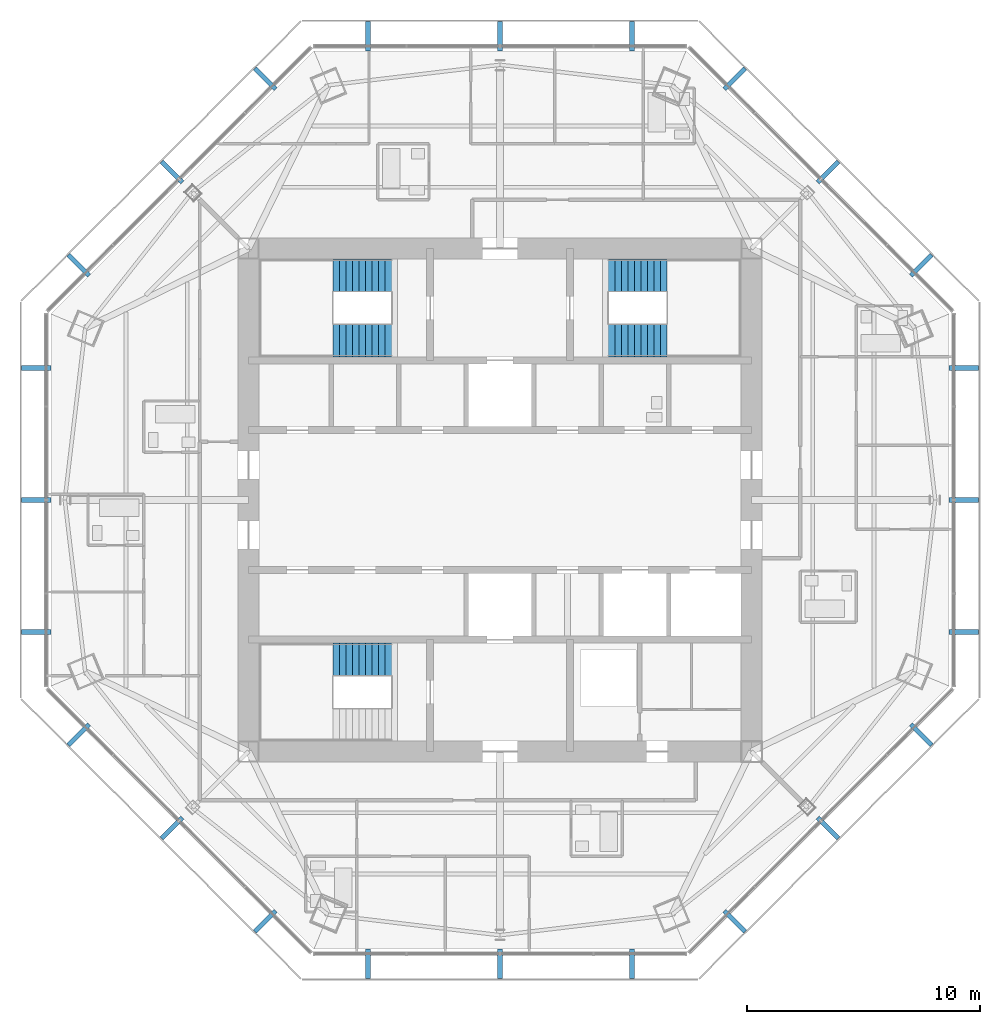
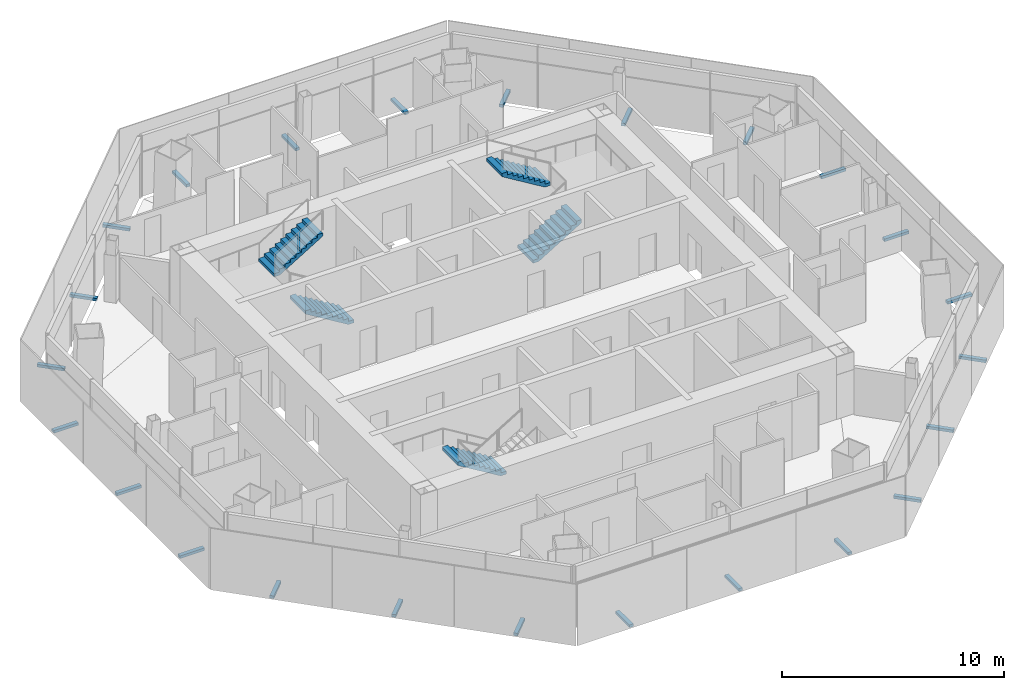
# One storey, part 12 of 15: 24 discrete accessories, 5 stair flights, 3 elements without a shape of their own.
"""IFC4 building model written with IfcOpenShell, lengths in metres."""

from ifc_helpers import new_model, si_unit, direction, frame, origin, origin_2d, place, context, subcontext, project, spatial, polyline, rectangle, outline, extrude, source, transform, mapped, material, type_object, type_shapes, element, aggregate, save


model = new_model("IFC4")

# Units and contexts
model_context = context("Model", 3, precision=1e-05, world=origin(), true_north=direction((0.0, 1.0)))
body_context = subcontext(model_context, "Body", "Model", "MODEL_VIEW")
ifc_project = project(units=[si_unit("LENGTHUNIT", "METRE"), si_unit("AREAUNIT", "SQUARE_METRE"), si_unit("VOLUMEUNIT", "CUBIC_METRE"), si_unit("PLANEANGLEUNIT", "RADIAN"), si_unit("MASSUNIT", "GRAM", prefix="KILO")], contexts=[model_context])

# Site, building, storey
site_placement = place(None, origin())
site = spatial("IfcSite", under=ifc_project, at=site_placement, CompositionType="ELEMENT")
building_placement = place(site_placement, origin())
building = spatial("IfcBuilding", under=site, at=building_placement, Name="Mashrafa Tower", CompositionType="ELEMENT")
storey_placement = place(building_placement, frame((0.0, 0.0, 301.39990234375)))
storey = spatial("IfcBuildingStorey", under=building, at=storey_placement, Name="L74", CompositionType="ELEMENT", Elevation=301.39990234375)

# Stair, stair flights
ifc_material_1 = material(Name="Exit stair 1400")
stair_type = type_object("IfcStairType", Name="Exit stair 1400", PredefinedType="HALF_TURN_STAIR", material=ifc_material_1)
stair_1_placement = place(storey_placement, origin())
stair_1 = element("IfcStair", 1, at=stair_1_placement, inside=storey, type_object=stair_type, Name="Stair S1 L74", PredefinedType="HALF_TURN_STAIR")
ifc_material_2 = material(Name="Concrete C32/40", Category="concrete")
stair_flight_type = type_object("IfcStairFlightType", Name="Stair flight 1400", PredefinedType="STRAIGHT", material=ifc_material_2)
stair_flight_1_placement = place(storey_placement, frame((-4.64990234375, 6.85009765625, 0.0), z_axis=(0.0, 0.0, 1.0), x_axis=(-1.0, 0.0, 0.0)))
stair_flight_1 = element("IfcStairFlight", 2, at=stair_flight_1_placement, type_object=stair_flight_type, Name="S1 flight 1", NumberOfRisers=10, NumberOfTreads=9, PredefinedType="STRAIGHT", RiserHeight=0.17, TreadLength=0.28, context=body_context, shape_type="SweptSolid", body=[
    extrude(outline(polyline([(0.0, 0.0), (0.0, 0.169921875), (0.280029296875, 0.169921875), (0.280029296875, 0.340087890625), (0.56005859375, 0.340087890625), (0.56005859375, 0.510009765625), (0.840087890625, 0.510009765625), (0.840087890625, 0.679931640625), (1.1201171875, 0.679931640625), (1.1201171875, 0.85009765625), (1.39990234375, 0.85009765625), (1.39990234375, 1.02001953125), (1.679931640625, 1.02001953125), (1.679931640625, 1.18994140625), (1.9599609375, 1.18994140625), (1.9599609375, 1.360107421875), (2.239990234375, 1.360107421875), (2.239990234375, 1.530029296875), (2.52001953125, 1.530029296875), (2.52001953125, 1.699951171875), (2.52001953125, 1.354736328125), (0.288818359375, 0.0), (0.0, 0.0)])), frame((0.0, 0.699951171875, 0.0), z_axis=(0.0, -1.0, 0.0), x_axis=(1.0, 0.0, 0.0)), (0.0, 0.0, 1.0), 1.39990234375),
])
stair_flight_2_placement = place(storey_placement, frame((-7.169921875, 9.64990234375, 1.7001953125), z_axis=(0.0, 0.0, 1.0), x_axis=(1.0, 0.0, 0.0)))
stair_flight_2 = element("IfcStairFlight", 3, at=stair_flight_2_placement, type_object=stair_flight_type, Name="S1 flight 2", NumberOfRisers=10, NumberOfTreads=9, PredefinedType="STRAIGHT", RiserHeight=0.17, TreadLength=0.28, context=body_context, shape_type="SweptSolid", body=[
    extrude(outline(polyline([(0.0, 0.0), (0.0, 0.169921875), (0.280029296875, 0.169921875), (0.280029296875, 0.340087890625), (0.56005859375, 0.340087890625), (0.56005859375, 0.510009765625), (0.840087890625, 0.510009765625), (0.840087890625, 0.679931640625), (1.1201171875, 0.679931640625), (1.1201171875, 0.85009765625), (1.39990234375, 0.85009765625), (1.39990234375, 1.02001953125), (1.679931640625, 1.02001953125), (1.679931640625, 1.18994140625), (1.9599609375, 1.18994140625), (1.9599609375, 1.360107421875), (2.239990234375, 1.360107421875), (2.239990234375, 1.530029296875), (2.52001953125, 1.530029296875), (2.52001953125, 1.699951171875), (2.52001953125, 1.354736328125), (0.288818359375, 0.0), (0.0, 0.0)])), frame((0.0, 0.699951171875, 0.0), z_axis=(0.0, -1.0, 0.0), x_axis=(1.0, 0.0, 0.0)), (0.0, 0.0, 1.0), 1.39990234375),
])
aggregate(stair_1, [stair_flight_1, stair_flight_2])

stair_2_placement = place(storey_placement, origin())
stair_2 = element("IfcStair", 4, at=stair_2_placement, inside=storey, type_object=stair_type, Name="Stair S2 L74", PredefinedType="HALF_TURN_STAIR")
stair_flight_3_placement = place(storey_placement, frame((4.64990234375, 6.85009765625, 0.0), z_axis=(0.0, 0.0, 1.0), x_axis=(1.0, 0.0, 0.0)))
stair_flight_3 = element("IfcStairFlight", 5, at=stair_flight_3_placement, type_object=stair_flight_type, Name="S2 flight 1", NumberOfRisers=10, NumberOfTreads=9, PredefinedType="STRAIGHT", RiserHeight=0.17, TreadLength=0.28, context=body_context, shape_type="SweptSolid", body=[
    extrude(outline(polyline([(0.0, 0.0), (0.0, 0.169921875), (0.280029296875, 0.169921875), (0.280029296875, 0.340087890625), (0.56005859375, 0.340087890625), (0.56005859375, 0.510009765625), (0.840087890625, 0.510009765625), (0.840087890625, 0.679931640625), (1.1201171875, 0.679931640625), (1.1201171875, 0.85009765625), (1.39990234375, 0.85009765625), (1.39990234375, 1.02001953125), (1.679931640625, 1.02001953125), (1.679931640625, 1.18994140625), (1.9599609375, 1.18994140625), (1.9599609375, 1.360107421875), (2.239990234375, 1.360107421875), (2.239990234375, 1.530029296875), (2.52001953125, 1.530029296875), (2.52001953125, 1.699951171875), (2.52001953125, 1.354736328125), (0.288818359375, 0.0), (0.0, 0.0)])), frame((0.0, 0.699951171875, 0.0), z_axis=(0.0, -1.0, 0.0), x_axis=(1.0, 0.0, 0.0)), (0.0, 0.0, 1.0), 1.39990234375),
])
stair_flight_4_placement = place(storey_placement, frame((7.169921875, 9.64990234375, 1.7001953125), z_axis=(0.0, 0.0, 1.0), x_axis=(-1.0, 0.0, 0.0)))
stair_flight_4 = element("IfcStairFlight", 6, at=stair_flight_4_placement, type_object=stair_flight_type, Name="S2 flight 2", NumberOfRisers=10, NumberOfTreads=9, PredefinedType="STRAIGHT", RiserHeight=0.17, TreadLength=0.28, context=body_context, shape_type="SweptSolid", body=[
    extrude(outline(polyline([(0.0, 0.0), (0.0, 0.169921875), (0.280029296875, 0.169921875), (0.280029296875, 0.340087890625), (0.56005859375, 0.340087890625), (0.56005859375, 0.510009765625), (0.840087890625, 0.510009765625), (0.840087890625, 0.679931640625), (1.1201171875, 0.679931640625), (1.1201171875, 0.85009765625), (1.39990234375, 0.85009765625), (1.39990234375, 1.02001953125), (1.679931640625, 1.02001953125), (1.679931640625, 1.18994140625), (1.9599609375, 1.18994140625), (1.9599609375, 1.360107421875), (2.239990234375, 1.360107421875), (2.239990234375, 1.530029296875), (2.52001953125, 1.530029296875), (2.52001953125, 1.699951171875), (2.52001953125, 1.354736328125), (0.288818359375, 0.0), (0.0, 0.0)])), frame((0.0, 0.699951171875, 0.0), z_axis=(0.0, -1.0, 0.0), x_axis=(1.0, 0.0, 0.0)), (0.0, 0.0, 1.0), 1.39990234375),
])
aggregate(stair_2, [stair_flight_3, stair_flight_4])

# Stair, stair flight
stair_3_placement = place(storey_placement, origin())
stair_3 = element("IfcStair", 7, at=stair_3_placement, inside=storey, type_object=stair_type, Name="Stair S3 L74", PredefinedType="HALF_TURN_STAIR")
stair_flight_5_placement = place(storey_placement, frame((-4.64990234375, -6.85009765625, 0.0), z_axis=(0.0, 0.0, 1.0), x_axis=(-1.0, 0.0, 0.0)))
stair_flight_5 = element("IfcStairFlight", 8, at=stair_flight_5_placement, type_object=stair_flight_type, Name="S3 flight 1", NumberOfRisers=10, NumberOfTreads=9, PredefinedType="STRAIGHT", RiserHeight=0.17, TreadLength=0.28, context=body_context, shape_type="SweptSolid", body=[
    extrude(outline(polyline([(0.0, 0.0), (0.0, 0.169921875), (0.280029296875, 0.169921875), (0.280029296875, 0.340087890625), (0.56005859375, 0.340087890625), (0.56005859375, 0.510009765625), (0.840087890625, 0.510009765625), (0.840087890625, 0.679931640625), (1.1201171875, 0.679931640625), (1.1201171875, 0.85009765625), (1.39990234375, 0.85009765625), (1.39990234375, 1.02001953125), (1.679931640625, 1.02001953125), (1.679931640625, 1.18994140625), (1.9599609375, 1.18994140625), (1.9599609375, 1.360107421875), (2.239990234375, 1.360107421875), (2.239990234375, 1.530029296875), (2.52001953125, 1.530029296875), (2.52001953125, 1.699951171875), (2.52001953125, 1.354736328125), (0.288818359375, 0.0), (0.0, 0.0)])), frame((0.0, 0.699951171875, 0.0), z_axis=(0.0, -1.0, 0.0), x_axis=(1.0, 0.0, 0.0)), (0.0, 0.0, 1.0), 1.39990234375),
])
aggregate(stair_3, [stair_flight_5])

# Discrete accessories
ifc_material_3 = material(Name="Stainless steel screen bracket", Category="steel")
discrete_accessory_type = type_object("IfcDiscreteAccessoryType", Name="Screen support bracket 200 x 150", PredefinedType="BRACKET", material=ifc_material_3)
shared_shape = source(origin(), body_context, "Body", "SweptSolid", [
    extrude(rectangle(XDim=0.199951171875, YDim=1.27001953125, at=origin_2d()), origin(), (0.0, 0.0, 1.0), 0.14990234375),
])
type_shapes(discrete_accessory_type, [shared_shape])
for number, where, z_axis, x_axis, name in (
    (9, (19.923583984375, -5.67041015625, -0.14990234375), (0.0, 0.0, 1.0), (0.0, 1.0, 0.0), "Screen support bracket L74 east 1"),
    (10, (19.923583984375, 0.0, -0.14990234375), (0.0, 0.0, 1.0), (0.0, 1.0, 0.0), "Screen support bracket L74 east 2"),
    (11, (19.923583984375, 5.67041015625, -0.14990234375), (0.0, 0.0, 1.0), (0.0, 1.0, 0.0), "Screen support bracket L74 east 3"),
    (12, (18.09765625, 10.078369140625, -0.14990234375), (0.0, 0.0, 1.0), (-0.707106781187, 0.707106781187, 0.0), "Screen support bracket L74 north-east 1"),
    (13, (14.088134765625, 14.088134765625, -0.14990234375), (0.0, 0.0, 1.0), (-0.707106781187, 0.707106781187, 0.0), "Screen support bracket L74 north-east 2"),
    (14, (10.078369140625, 18.09765625, -0.14990234375), (0.0, 0.0, 1.0), (-0.707106781187, 0.707106781187, 0.0), "Screen support bracket L74 north-east 3"),
    (15, (5.67041015625, 19.923583984375, -0.14990234375), (0.0, 0.0, 1.0), (-1.0, 0.0, 0.0), "Screen support bracket L74 north 1"),
    (16, (0.0, 19.923583984375, -0.14990234375), (0.0, 0.0, 1.0), (-1.0, 0.0, 0.0), "Screen support bracket L74 north 2"),
    (17, (-5.67041015625, 19.923583984375, -0.14990234375), (0.0, 0.0, 1.0), (-1.0, 0.0, 0.0), "Screen support bracket L74 north 3"),
    (18, (-10.078369140625, 18.09765625, -0.14990234375), (0.0, 0.0, 1.0), (-0.707106781187, -0.707106781187, 0.0), "Screen support bracket L74 north-west 1"),
    (19, (-14.088134765625, 14.088134765625, -0.14990234375), (0.0, 0.0, 1.0), (-0.707106781187, -0.707106781187, 0.0), "Screen support bracket L74 north-west 2"),
    (20, (-18.09765625, 10.078369140625, -0.14990234375), (0.0, 0.0, 1.0), (-0.707106781187, -0.707106781187, 0.0), "Screen support bracket L74 north-west 3"),
    (21, (-19.923583984375, 5.67041015625, -0.14990234375), (0.0, 0.0, 1.0), (0.0, -1.0, 0.0), "Screen support bracket L74 west 1"),
    (22, (-19.923583984375, 0.0, -0.14990234375), (0.0, 0.0, 1.0), (0.0, -1.0, 0.0), "Screen support bracket L74 west 2"),
    (23, (-19.923583984375, -5.67041015625, -0.14990234375), (0.0, 0.0, 1.0), (0.0, -1.0, 0.0), "Screen support bracket L74 west 3"),
    (24, (-18.09765625, -10.078369140625, -0.14990234375), (0.0, 0.0, 1.0), (0.707106781187, -0.707106781187, 0.0), "Screen support bracket L74 south-west 1"),
    (25, (-14.088134765625, -14.088134765625, -0.14990234375), (0.0, 0.0, 1.0), (0.707106781187, -0.707106781187, 0.0), "Screen support bracket L74 south-west 2"),
    (26, (-10.078369140625, -18.09765625, -0.14990234375), (0.0, 0.0, 1.0), (0.707106781187, -0.707106781187, 0.0), "Screen support bracket L74 south-west 3"),
    (27, (-5.67041015625, -19.923583984375, -0.14990234375), (0.0, 0.0, 1.0), (1.0, 0.0, 0.0), "Screen support bracket L74 south 1"),
    (28, (0.0, -19.923583984375, -0.14990234375), (0.0, 0.0, 1.0), (1.0, 0.0, 0.0), "Screen support bracket L74 south 2"),
    (29, (5.67041015625, -19.923583984375, -0.14990234375), (0.0, 0.0, 1.0), (1.0, 0.0, 0.0), "Screen support bracket L74 south 3"),
    (30, (10.078369140625, -18.09765625, -0.14990234375), (0.0, 0.0, 1.0), (0.707106781187, 0.707106781187, 0.0), "Screen support bracket L74 south-east 1"),
    (31, (14.088134765625, -14.088134765625, -0.14990234375), (0.0, 0.0, 1.0), (0.707106781187, 0.707106781187, 0.0), "Screen support bracket L74 south-east 2"),
    (32, (18.09765625, -10.078369140625, -0.14990234375), (0.0, 0.0, 1.0), (0.707106781187, 0.707106781187, 0.0), "Screen support bracket L74 south-east 3"),
):
    element("IfcDiscreteAccessory", number, at=place(storey_placement, frame(where, z_axis=z_axis, x_axis=x_axis)), inside=storey, type_object=discrete_accessory_type, Name=name, PredefinedType="BRACKET", context=body_context, shape_type="MappedRepresentation", body=[
        mapped(shared_shape, transform((0.0, 0.0, 0.0))),
    ])

save(model, "model.ifc")
